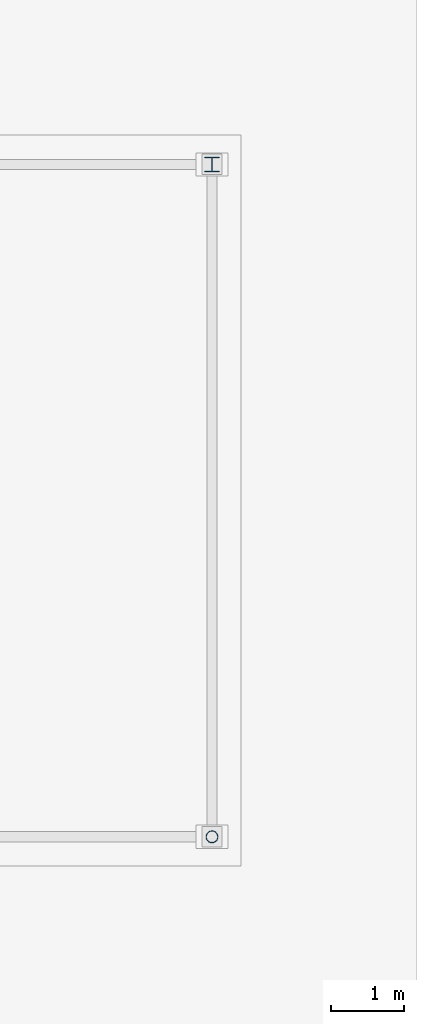
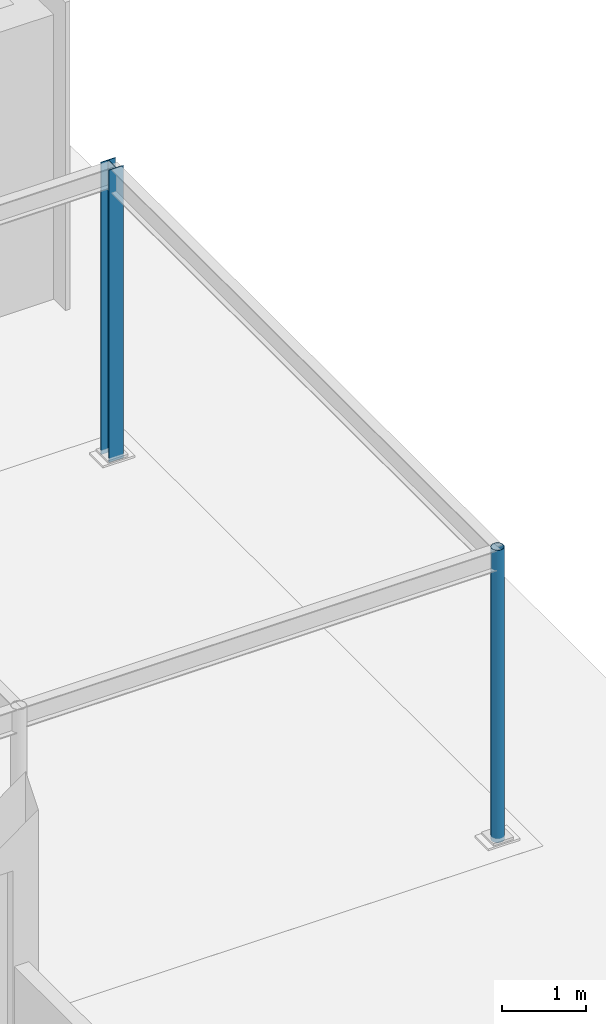
# One storey, part 11 of 135: 2 columns.
"""IFC4 building model written with IfcOpenShell, lengths in metres."""

import ifcopenshell
import ifcopenshell.guid

model = None  # the IFC model being written
_history = None  # IfcOwnerHistory: only IFC2X3 demands one
_inside = {}  # id of a spatial element -> (the spatial element, [elements in it])
_under = {}  # id of a project, library or spatial element -> (it, [spatial elements below it])
_declared = {}  # id of a project -> (the project, [libraries it declares])
_typed = {}  # id of a type object -> (the type object, [elements of that type])
_made_of = {}  # id of a material, layer set ... -> (it, [elements and type objects made of it])


def new_model(schema):
    """Start an empty IFC model of exactly this schema.

    Asked for "IFC4X3", IfcOpenShell would pick the latest addendum, in which some entities
    have other attributes; the version numbers below select the first issue.
    IFC2X3 requires an IfcOwnerHistory on every rooted entity: one is made here for all.
    """
    global model, _history
    if schema == "IFC4X3":
        model = ifcopenshell.file(schema_version=(4, 3, 0, 0))
    else:
        model = ifcopenshell.file(schema=schema)
    _inside.clear()
    _under.clear()
    _declared.clear()
    _typed.clear()
    _made_of.clear()
    _history = None
    if model.schema == "IFC2X3":
        org = make("IfcOrganization", Name="unknown")
        user = make(
            "IfcPersonAndOrganization",
            ThePerson=make("IfcPerson", FamilyName="unknown"),
            TheOrganization=org,
        )
        app = make(
            "IfcApplication",
            ApplicationDeveloper=org,
            Version="unknown",
            ApplicationFullName="unknown",
            ApplicationIdentifier="unknown",
        )
        _history = make(
            "IfcOwnerHistory",
            OwningUser=user,
            OwningApplication=app,
            ChangeAction="ADDED",
            CreationDate=0,
        )
    return model


def make(cls, **values):
    """One entity of the class cls with the attributes given. An attribute that is None is left unset."""
    return model.create_entity(
        cls, **{name: value for name, value in values.items() if value is not None}
    )


def rooted(cls, **values):
    """An entity with a GlobalId (a new one), such as an element, a storey or a relation."""
    return make(cls, GlobalId=ifcopenshell.guid.new(), OwnerHistory=_history, **values)


def si_unit(unit_type, name, prefix=None):
    """IfcSIUnit, for example si_unit("LENGTHUNIT", "METRE", prefix="MILLI")."""
    return make("IfcSIUnit", UnitType=unit_type, Prefix=prefix, Name=name)


def assignment(units):
    """IfcUnitAssignment: the units of a project."""
    return None if units is None else make("IfcUnitAssignment", Units=units)


def point(xyz):
    """IfcCartesianPoint."""
    return None if xyz is None else make("IfcCartesianPoint", Coordinates=xyz)


def direction(xyz):
    """IfcDirection."""
    return None if xyz is None else make("IfcDirection", DirectionRatios=xyz)


def frame(location, z_axis=None, x_axis=None):
    """IfcAxis2Placement3D, a coordinate frame: its origin and axes. An axis left out is left unset."""
    return make(
        "IfcAxis2Placement3D",
        Location=point(location),
        Axis=direction(z_axis),
        RefDirection=direction(x_axis),
    )


def frame_2d(location, x_axis=None):
    """IfcAxis2Placement2D, a coordinate frame in the plane: its origin and x axis."""
    return make(
        "IfcAxis2Placement2D", Location=point(location), RefDirection=direction(x_axis)
    )


def origin():
    """The frame at (0, 0, 0) with its axes left unset."""
    return frame((0.0, 0.0, 0.0))


def origin_2d():
    """The frame at (0, 0) in the plane with its x axis left unset."""
    return frame_2d((0.0, 0.0))


def place(relative_to, where):
    """IfcLocalPlacement: puts the frame where relative to a parent placement (None: the world)."""
    return make(
        "IfcLocalPlacement", PlacementRelTo=relative_to, RelativePlacement=where
    )


def context(
    kind, dimensions, precision=None, world=None, true_north=None, identifier=None
):
    """IfcGeometricRepresentationContext, for example the 3D "Model" context."""
    return make(
        "IfcGeometricRepresentationContext",
        ContextIdentifier=identifier,
        ContextType=kind,
        CoordinateSpaceDimension=dimensions,
        Precision=precision,
        WorldCoordinateSystem=world,
        TrueNorth=true_north,
    )


def subcontext(parent, identifier, kind, view, scale=None):
    """IfcGeometricRepresentationSubContext, for example "Body" below "Model"."""
    return make(
        "IfcGeometricRepresentationSubContext",
        ContextIdentifier=identifier,
        ContextType=kind,
        ParentContext=parent,
        TargetScale=scale,
        TargetView=view,
    )


def project(units=None, contexts=None):
    """IfcProject with its units and contexts."""
    return rooted(
        "IfcProject",
        Name="project",
        RepresentationContexts=contexts,
        UnitsInContext=assignment(units),
    )


def spatial(cls, under=None, at=None, **own):
    """A site, building, storey or space (cls), placed at a placement, below another one or the project."""
    s = rooted(cls, ObjectPlacement=at, **own)
    if under is not None:
        _under.setdefault(under.id(), (under, []))[1].append(s)
    return s


def profile(cls, at=None, kind="AREA", **sizes):
    """A parametric profile (cls). Its sizes go by their IFC names, for example OverallWidth=200.0."""
    return make(cls, ProfileType=kind, Position=at, **sizes)


def hollow_circle(**sizes):
    """IfcCircleHollowProfileDef."""
    return profile("IfcCircleHollowProfileDef", **sizes)


def i_section(**sizes):
    """IfcIShapeProfileDef."""
    return profile("IfcIShapeProfileDef", **sizes)


def extrude(swept, where, along, depth):
    """IfcExtrudedAreaSolid: the profile swept, set in the frame where, extruded along a direction by depth."""
    return make(
        "IfcExtrudedAreaSolid",
        SweptArea=swept,
        Position=where,
        ExtrudedDirection=direction(along),
        Depth=depth,
    )


def shape(context_of_items, identifier, shape_type, items):
    """IfcShapeRepresentation: the items that make up one representation, for example the "Body"."""
    return make(
        "IfcShapeRepresentation",
        ContextOfItems=context_of_items,
        RepresentationIdentifier=identifier,
        RepresentationType=shape_type,
        Items=items,
    )


def material(Name=None, Category=None):
    """IfcMaterial."""
    return make("IfcMaterial", Name=Name, Category=Category)


def material_profile(
    of_material, cross_section, Name=None, Category=None, Priority=None
):
    """IfcMaterialProfile: a cross section and its material."""
    return make(
        "IfcMaterialProfile",
        Name=Name,
        Material=of_material,
        Profile=cross_section,
        Priority=Priority,
        Category=Category,
    )


def profile_set(profiles, Name=None, composite=None):
    """IfcMaterialProfileSet."""
    return make(
        "IfcMaterialProfileSet",
        Name=Name,
        MaterialProfiles=profiles,
        CompositeProfile=composite,
    )


def made_of(thing, what):
    """Note that an element or type object is made of a material, layer set ...; save() writes the relation."""
    if what is not None:
        _made_of.setdefault(what.id(), (what, []))[1].append(thing)
    return thing


def type_object(cls, material=None, **own):
    """A type object (cls), such as IfcWallType, which elements share."""
    return made_of(rooted(cls, **own), material)


def element(
    cls,
    number,
    at=None,
    inside=None,
    cuts=None,
    type_object=None,
    material=None,
    context=None,
    identifier="Body",
    shape_type=None,
    held_by="IfcProductDefinitionShape",
    body=None,
    shapes=None,
    **own,
):
    """One element of the class cls, such as IfcWall. Its Tag is "e" and its number.

    at: its placement. inside: the storey or other place that contains it. cuts: it is an
    opening in that element (IfcRelVoidsElement). A single representation is given by context,
    identifier, shape_type and body (its items); several are given by shapes. held_by: the class
    of the entity that holds the representations. save() writes the other relations.
    """
    e = rooted(cls, Tag="e%d" % number, ObjectPlacement=at, **own)
    if body is not None:
        shapes = [shape(context, identifier, shape_type, body)]
    if shapes is not None:
        e.Representation = make(held_by, Representations=shapes)
    if inside is not None:
        _inside.setdefault(inside.id(), (inside, []))[1].append(e)
    if cuts is not None:
        rooted(
            "IfcRelVoidsElement", RelatingBuildingElement=cuts, RelatedOpeningElement=e
        )
    if type_object is not None:
        _typed.setdefault(type_object.id(), (type_object, []))[1].append(e)
    return made_of(e, material)


def aggregate(whole, parts):
    """IfcRelAggregates: a whole, such as a stair, and the parts it consists of."""
    return rooted("IfcRelAggregates", RelatingObject=whole, RelatedObjects=parts)


def save(model, path):
    """Write the relations noted so far, then the file.

    IfcRelAggregates (storeys below a building ...), IfcRelContainedInSpatialStructure (elements
    in a storey), IfcRelDefinesByType, IfcRelAssociatesMaterial and IfcRelDeclares: one each for
    every whole, place, type object, material and project.
    """
    for whole, parts in _under.values():
        aggregate(whole, parts)
    for where, things in _inside.values():
        rooted(
            "IfcRelContainedInSpatialStructure",
            RelatedElements=things,
            RelatingStructure=where,
        )
    for kind, things in _typed.values():
        rooted("IfcRelDefinesByType", RelatedObjects=things, RelatingType=kind)
    for what, things in _made_of.values():
        rooted("IfcRelAssociatesMaterial", RelatedObjects=things, RelatingMaterial=what)
    for by, libraries in _declared.values():
        rooted("IfcRelDeclares", RelatingContext=by, RelatedDefinitions=libraries)
    model.write(path)


model = new_model("IFC4")

# Units and contexts
model_context = context("Model", 3, precision=1e-05, world=origin(), true_north=direction((0.0, 1.0)))
body_context = subcontext(model_context, "Body", "Model", "MODEL_VIEW")
ifc_project = project(units=[si_unit("LENGTHUNIT", "METRE"), si_unit("AREAUNIT", "SQUARE_METRE"), si_unit("VOLUMEUNIT", "CUBIC_METRE"), si_unit("PLANEANGLEUNIT", "RADIAN"), si_unit("MASSUNIT", "GRAM", prefix="KILO")], contexts=[model_context])

# Site, building, storey
site_placement = place(None, origin())
site = spatial("IfcSite", under=ifc_project, at=site_placement, CompositionType="ELEMENT")
building_placement = place(site_placement, origin())
building = spatial("IfcBuilding", under=site, at=building_placement, Name="Kiranvali Square Residences", CompositionType="ELEMENT")
storey_placement = place(building_placement, origin())
storey = spatial("IfcBuildingStorey", under=building, at=storey_placement, Name="L00", CompositionType="ELEMENT", Elevation=0.0)

# Columns
ifc_material = material(Name="Structural steel E350", Category="steel")
ifc_material_profile_1 = material_profile(ifc_material, hollow_circle(Radius=0.08251953125, WallThickness=0.00537109375, at=origin_2d()), Name="CHS 165.1x5.4")
ifc_profile_set_1 = profile_set([ifc_material_profile_1], Name="Structural steel E350")
column_type_1 = type_object("IfcColumnType", Name="SCOL-CHS165", PredefinedType="COLUMN", material=ifc_profile_set_1)
column_1_placement = place(storey_placement, frame((165.199951171875, 55.39990234375, 0.0), z_axis=(0.0, 0.0, 1.0), x_axis=(1.0, 0.0, 0.0)))
element("IfcColumn", 1, at=column_1_placement, inside=storey, type_object=column_type_1, Name="East Street Ramp and Arcade Portal steel column 5.1", PredefinedType="COLUMN", context=body_context, shape_type="SweptSolid", body=[
    extrude(hollow_circle(Radius=0.08251953125, WallThickness=0.00537109375, at=origin_2d()), origin(), (0.0, 0.0, 1.0), 4.260009765625),
])
ifc_material_profile_2 = material_profile(ifc_material, i_section(OverallWidth=0.199951171875, OverallDepth=0.199951171875, WebThickness=0.0078125, FlangeThickness=0.009033203125, at=origin_2d()), Name="ISHB 200")
ifc_profile_set_2 = profile_set([ifc_material_profile_2], Name="Structural steel E350")
column_type_2 = type_object("IfcColumnType", Name="SCOL-ISHB200", PredefinedType="COLUMN", material=ifc_profile_set_2)
column_2_placement = place(storey_placement, frame((165.199951171875, 64.60009765625, 0.0), z_axis=(0.0, 0.0, 1.0), x_axis=(1.0, 0.0, 0.0)))
element("IfcColumn", 2, at=column_2_placement, inside=storey, type_object=column_type_2, Name="East Street Ramp and Arcade Portal steel column 5.2", PredefinedType="COLUMN", context=body_context, shape_type="SweptSolid", body=[
    extrude(i_section(OverallWidth=0.199951171875, OverallDepth=0.199951171875, WebThickness=0.0078125, FlangeThickness=0.009033203125, at=origin_2d()), origin(), (0.0, 0.0, 1.0), 4.260009765625),
])

save(model, "model.ifc")
